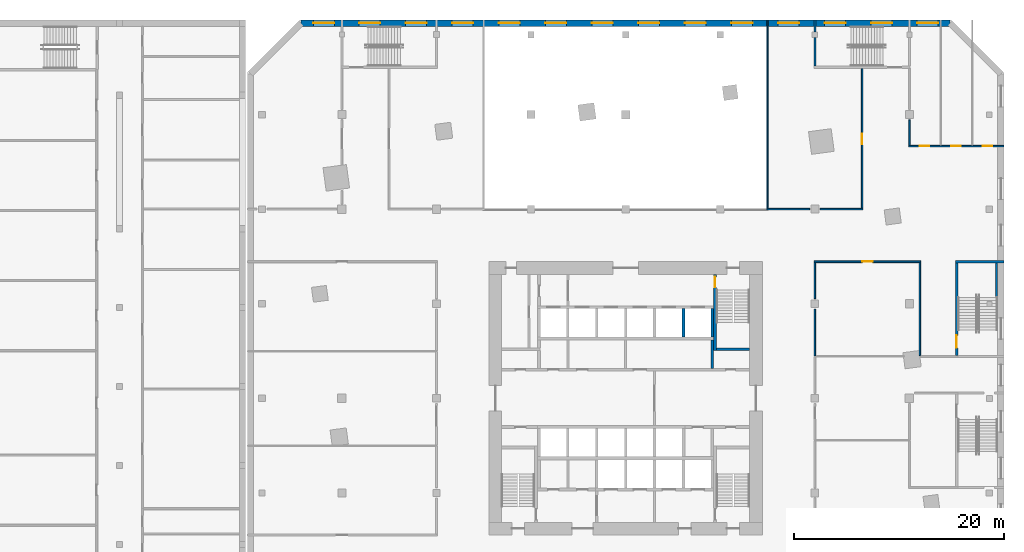
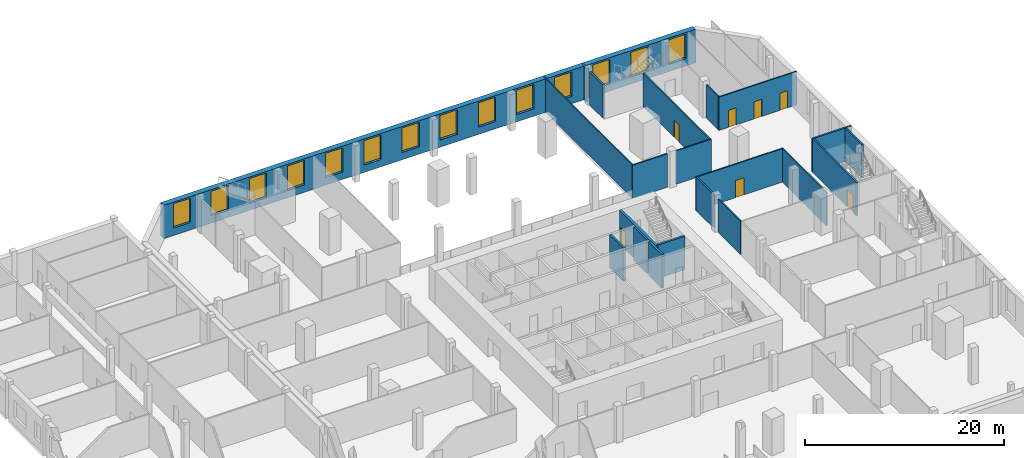
# One storey, part 17 of 27: 21 walls, 14 windows, 7 doors, 21 openings.
"""IFC4 building model written with IfcOpenShell, lengths in metres."""

from ifc_helpers import new_model, si_unit, direction, frame, frame_2d, origin, place, context, subcontext, project, spatial, rectangle, extrude, material, layer, layer_set, type_object, element, fill, save


model = new_model("IFC4")

# Units and contexts
model_context = context("Model", 3, precision=1e-05, world=origin(), true_north=direction((0.0, 1.0)))
body_context = subcontext(model_context, "Body", "Model", "MODEL_VIEW")
ifc_project = project(units=[si_unit("LENGTHUNIT", "METRE"), si_unit("AREAUNIT", "SQUARE_METRE"), si_unit("VOLUMEUNIT", "CUBIC_METRE"), si_unit("PLANEANGLEUNIT", "RADIAN"), si_unit("MASSUNIT", "GRAM", prefix="KILO")], contexts=[model_context])

# Site, building, storey
site_placement = place(None, origin())
site = spatial("IfcSite", under=ifc_project, at=site_placement, CompositionType="ELEMENT")
building_placement = place(site_placement, origin())
building = spatial("IfcBuilding", under=site, at=building_placement, Name="Dilmun Exchange Tower", CompositionType="ELEMENT")
storey_placement = place(building_placement, frame((0.0, 0.0, 4.5)))
storey = spatial("IfcBuildingStorey", under=building, at=storey_placement, Name="L01", CompositionType="ELEMENT", Elevation=4.5)

# Wall
ifc_material_1 = material(Name="Concrete C40/50", Category="concrete")
ifc_layer_1 = layer(ifc_material_1, 0.25)
ifc_layer_set_1 = layer_set([ifc_layer_1], Name="Concrete C40/50")
wall_type_1 = type_object("IfcWallType", Name="Core partition wall 250", PredefinedType="PARTITIONING", material=ifc_layer_set_1)
wall_1_placement = place(storey_placement, frame((8.25, 2.85498046875, 0.0), z_axis=(0.0, 0.0, 1.0), x_axis=(0.0, 1.0, 0.0)))
element("IfcWall", 1, at=wall_1_placement, inside=storey, type_object=wall_type_1, Name="L01 core partition wall 14", PredefinedType="PARTITIONING", context=body_context, shape_type="SweptSolid", body=[
    extrude(rectangle(XDim=2.68994140625, YDim=0.25, at=frame_2d((1.344970703125, 0.0))), origin(), (0.0, 0.0, 1.0), 4.10009765625),
])

# Wall, opening, door
ifc_material_2 = material(Name="Fire partition EI 60 150 gypsum")
ifc_layer_2 = layer(ifc_material_2, 0.14990234375)
ifc_layer_set_2 = layer_set([ifc_layer_2], Name="Fire partition EI 60 150 gypsum")
wall_type_2 = type_object("IfcWallType", Name="Fire partition EI 60 150 gypsum", PredefinedType="PARTITIONING", material=ifc_layer_set_2)
wall_2_placement = place(storey_placement, frame((17.925048828125, 13.0, 0.0), z_axis=(0.0, 0.0, 1.0), x_axis=(1.0, 0.0, 0.0)))
wall_2 = element("IfcWall", 2, at=wall_2_placement, inside=storey, type_object=wall_type_2, Name="L01 partition", PredefinedType="PARTITIONING", context=body_context, shape_type="SweptSolid", body=[
    extrude(rectangle(XDim=10.14990234375, YDim=0.14990234375, at=frame_2d((5.074951171875, 0.0))), origin(), (0.0, 0.0, 1.0), 4.10009765625),
])
opening_1_placement = place(wall_2_placement, frame((4.574951171875, 0.0, 0.0)))
opening_1 = element("IfcOpeningElement", 3, at=opening_1_placement, cuts=wall_2, Name="Opening L01-D021", PredefinedType="OPENING", context=body_context, shape_type="SweptSolid", body=[
    extrude(rectangle(XDim=1.0, YDim=2.10009765625, at=frame_2d((0.5, 1.050048828125))), frame((0.0, 0.0849609375, 0.0), z_axis=(0.0, -1.0, 0.0), x_axis=(1.0, 0.0, 0.0)), (0.0, 0.0, 1.0), 0.169921875),
])
ifc_material_3 = material(Name="Fire door FD60 1000 x 2100")
door_type_1 = type_object("IfcDoorType", Name="Fire door FD60 1000 x 2100", OperationType="SINGLE_SWING_LEFT", PredefinedType="DOOR", material=ifc_material_3)
door_1_placement = place(opening_1_placement, origin())
door_1 = element("IfcDoor", 4, at=door_1_placement, inside=storey, type_object=door_type_1, Name="L01 door L01-D021", OperationType="SINGLE_SWING_LEFT", OverallHeight=2.10009765625, OverallWidth=1.0, PredefinedType="DOOR", context=body_context, shape_type="SweptSolid", body=[
    extrude(rectangle(XDim=1.0, YDim=2.10009765625, at=frame_2d((0.5, 1.050048828125))), frame((0.0, 0.02490234375, 0.0), z_axis=(0.0, -1.0, 0.0), x_axis=(1.0, 0.0, 0.0)), (0.0, 0.0, 1.0), 0.050048828125),
])
fill(opening_1, door_1)

# Walls
wall_3_placement = place(storey_placement, frame((13.43994140625, 18.0, 0.0), z_axis=(0.0, 0.0, 1.0), x_axis=(1.0, 0.0, 0.0)))
element("IfcWall", 5, at=wall_3_placement, inside=storey, type_object=wall_type_2, Name="L01 partition", PredefinedType="PARTITIONING", context=body_context, shape_type="SweptSolid", body=[
    extrude(rectangle(XDim=4.06005859375, YDim=0.14990234375, at=frame_2d((2.030029296875, 0.0))), origin(), (0.0, 0.0, 1.0), 4.10009765625),
])
wall_4_placement = place(storey_placement, frame((18.5, 18.0, 0.0), z_axis=(0.0, 0.0, 1.0), x_axis=(1.0, 0.0, 0.0)))
element("IfcWall", 6, at=wall_4_placement, inside=storey, type_object=wall_type_2, Name="L01 partition", PredefinedType="PARTITIONING", context=body_context, shape_type="SweptSolid", body=[
    extrude(rectangle(XDim=4.074951171875, YDim=0.14990234375, at=frame_2d((2.03759765625, 0.0))), origin(), (0.0, 0.0, 1.0), 4.10009765625),
])

# Wall, openings, doors
wall_5_placement = place(storey_placement, frame((26.925048828125, 24.0, 0.0), z_axis=(0.0, 0.0, 1.0), x_axis=(1.0, 0.0, 0.0)))
wall_5 = element("IfcWall", 7, at=wall_5_placement, inside=storey, type_object=wall_type_2, Name="L01 partition", PredefinedType="PARTITIONING", context=body_context, shape_type="SweptSolid", body=[
    extrude(rectangle(XDim=9.074951171875, YDim=0.14990234375, at=frame_2d((4.53759765625, 0.0))), origin(), (0.0, 0.0, 1.0), 4.10009765625),
])
opening_2_placement = place(wall_5_placement, frame((1.074951171875, 0.0, 0.0)))
opening_2 = element("IfcOpeningElement", 8, at=opening_2_placement, cuts=wall_5, Name="Opening L01-D005", PredefinedType="OPENING", context=body_context, shape_type="SweptSolid", body=[
    extrude(rectangle(XDim=0.89990234375, YDim=2.10009765625, at=frame_2d((0.449951171875, 1.050048828125))), frame((0.0, 0.0849609375, 0.0), z_axis=(0.0, -1.0, 0.0), x_axis=(1.0, 0.0, 0.0)), (0.0, 0.0, 1.0), 0.169921875),
])
opening_3_placement = place(wall_5_placement, frame((4.074951171875, 0.0, 0.0)))
opening_3 = element("IfcOpeningElement", 9, at=opening_3_placement, cuts=wall_5, Name="Opening L01-D006", PredefinedType="OPENING", context=body_context, shape_type="SweptSolid", body=[
    extrude(rectangle(XDim=0.89990234375, YDim=2.10009765625, at=frame_2d((0.449951171875, 1.050048828125))), frame((0.0, 0.0849609375, 0.0), z_axis=(0.0, -1.0, 0.0), x_axis=(1.0, 0.0, 0.0)), (0.0, 0.0, 1.0), 0.169921875),
])
opening_4_placement = place(wall_5_placement, frame((7.074951171875, 0.0, 0.0)))
opening_4 = element("IfcOpeningElement", 10, at=opening_4_placement, cuts=wall_5, Name="Opening L01-D007", PredefinedType="OPENING", context=body_context, shape_type="SweptSolid", body=[
    extrude(rectangle(XDim=0.89990234375, YDim=2.10009765625, at=frame_2d((0.449951171875, 1.050048828125))), frame((0.0, 0.0849609375, 0.0), z_axis=(0.0, -1.0, 0.0), x_axis=(1.0, 0.0, 0.0)), (0.0, 0.0, 1.0), 0.169921875),
])
ifc_material_4 = material(Name="Door 900 x 2100")
door_type_2 = type_object("IfcDoorType", Name="Door 900 x 2100", OperationType="SINGLE_SWING_LEFT", PredefinedType="DOOR", material=ifc_material_4)
door_2_placement = place(opening_2_placement, origin())
door_2 = element("IfcDoor", 11, at=door_2_placement, inside=storey, type_object=door_type_2, Name="L01 door L01-D005", OperationType="SINGLE_SWING_LEFT", OverallHeight=2.10009765625, OverallWidth=0.89990234375, PredefinedType="DOOR", context=body_context, shape_type="SweptSolid", body=[
    extrude(rectangle(XDim=0.89990234375, YDim=2.10009765625, at=frame_2d((0.449951171875, 1.050048828125))), frame((0.0, 0.02490234375, 0.0), z_axis=(0.0, -1.0, 0.0), x_axis=(1.0, 0.0, 0.0)), (0.0, 0.0, 1.0), 0.050048828125),
])
fill(opening_2, door_2)
door_3_placement = place(opening_3_placement, origin())
door_3 = element("IfcDoor", 12, at=door_3_placement, inside=storey, type_object=door_type_2, Name="L01 door L01-D006", OperationType="SINGLE_SWING_RIGHT", OverallHeight=2.10009765625, OverallWidth=0.89990234375, PredefinedType="DOOR", context=body_context, shape_type="SweptSolid", body=[
    extrude(rectangle(XDim=0.89990234375, YDim=2.10009765625, at=frame_2d((0.449951171875, 1.050048828125))), frame((0.0, 0.02490234375, 0.0), z_axis=(0.0, -1.0, 0.0), x_axis=(1.0, 0.0, 0.0)), (0.0, 0.0, 1.0), 0.050048828125),
])
fill(opening_3, door_3)
door_4_placement = place(opening_4_placement, origin())
door_4 = element("IfcDoor", 13, at=door_4_placement, inside=storey, type_object=door_type_2, Name="L01 door L01-D007", OperationType="SINGLE_SWING_LEFT", OverallHeight=2.10009765625, OverallWidth=0.89990234375, PredefinedType="DOOR", context=body_context, shape_type="SweptSolid", body=[
    extrude(rectangle(XDim=0.89990234375, YDim=2.10009765625, at=frame_2d((0.449951171875, 1.050048828125))), frame((0.0, 0.02490234375, 0.0), z_axis=(0.0, -1.0, 0.0), x_axis=(1.0, 0.0, 0.0)), (0.0, 0.0, 1.0), 0.050048828125),
])
fill(opening_4, door_4)

# Walls
wall_6_placement = place(storey_placement, frame((18.0, 4.050048828125, 0.0), z_axis=(0.0, 0.0, 1.0), x_axis=(0.0, 1.0, 0.0)))
element("IfcWall", 14, at=wall_6_placement, inside=storey, type_object=wall_type_2, Name="L01 partition", PredefinedType="PARTITIONING", context=body_context, shape_type="SweptSolid", body=[
    extrude(rectangle(XDim=4.449951171875, YDim=0.14990234375, at=frame_2d((2.22509765625, 0.0))), origin(), (0.0, 0.0, 1.0), 4.10009765625),
])
wall_7_placement = place(storey_placement, frame((18.0, 9.5, 0.0), z_axis=(0.0, 0.0, 1.0), x_axis=(0.0, 1.0, 0.0)))
element("IfcWall", 15, at=wall_7_placement, inside=storey, type_object=wall_type_2, Name="L01 partition", PredefinedType="PARTITIONING", context=body_context, shape_type="SweptSolid", body=[
    extrude(rectangle(XDim=3.425048828125, YDim=0.14990234375, at=frame_2d((1.71240234375, 0.0))), origin(), (0.0, 0.0, 1.0), 4.10009765625),
])

# Wall, opening, door
wall_8_placement = place(storey_placement, frame((22.5, 18.074951171875, 0.0), z_axis=(0.0, 0.0, 1.0), x_axis=(0.0, 1.0, 0.0)))
wall_8 = element("IfcWall", 16, at=wall_8_placement, inside=storey, type_object=wall_type_2, Name="L01 partition", PredefinedType="PARTITIONING", context=body_context, shape_type="SweptSolid", body=[
    extrude(rectangle(XDim=13.324951171875, YDim=0.14990234375, at=frame_2d((6.66259765625, 0.0))), origin(), (0.0, 0.0, 1.0), 4.10009765625),
])
opening_5_placement = place(wall_8_placement, frame((6.125, 0.0, 0.0)))
opening_5 = element("IfcOpeningElement", 17, at=opening_5_placement, cuts=wall_8, Name="Opening L01-D010", PredefinedType="OPENING", context=body_context, shape_type="SweptSolid", body=[
    extrude(rectangle(XDim=1.0, YDim=2.10009765625, at=frame_2d((0.5, 1.050048828125))), frame((0.0, 0.0849609375, 0.0), z_axis=(0.0, -1.0, 0.0), x_axis=(1.0, 0.0, 0.0)), (0.0, 0.0, 1.0), 0.169921875),
])
door_5_placement = place(opening_5_placement, origin())
door_5 = element("IfcDoor", 18, at=door_5_placement, inside=storey, type_object=door_type_1, Name="L01 door L01-D010", OperationType="SINGLE_SWING_RIGHT", OverallHeight=2.10009765625, OverallWidth=1.0, PredefinedType="DOOR", context=body_context, shape_type="SweptSolid", body=[
    extrude(rectangle(XDim=1.0, YDim=2.10009765625, at=frame_2d((0.5, 1.050048828125))), frame((0.0, 0.02490234375, 0.0), z_axis=(0.0, -1.0, 0.0), x_axis=(1.0, 0.0, 0.0)), (0.0, 0.0, 1.0), 0.050048828125),
])
fill(opening_5, door_5)

# Walls
wall_9_placement = place(storey_placement, frame((27.0, 24.074951171875, 0.0), z_axis=(0.0, 0.0, 1.0), x_axis=(0.0, 1.0, 0.0)))
element("IfcWall", 19, at=wall_9_placement, inside=storey, type_object=wall_type_2, Name="L01 partition", PredefinedType="PARTITIONING", context=body_context, shape_type="SweptSolid", body=[
    extrude(rectangle(XDim=2.425048828125, YDim=0.14990234375, at=frame_2d((1.21240234375, 0.0))), origin(), (0.0, 0.0, 1.0), 4.10009765625),
])
wall_10_placement = place(storey_placement, frame((28.0, 4.074951171875, 0.0), z_axis=(0.0, 0.0, 1.0), x_axis=(0.0, 1.0, 0.0)))
element("IfcWall", 20, at=wall_10_placement, inside=storey, type_object=wall_type_2, Name="L01 partition", PredefinedType="PARTITIONING", context=body_context, shape_type="SweptSolid", body=[
    extrude(rectangle(XDim=8.85009765625, YDim=0.14990234375, at=frame_2d((4.425048828125, 0.0))), origin(), (0.0, 0.0, 1.0), 4.10009765625),
])
ifc_material_5 = material(Name="Fire wall EI 120 200 blockwork", Category="masonry")
ifc_layer_3 = layer(ifc_material_5, 0.199951171875)
ifc_layer_set_3 = layer_set([ifc_layer_3], Name="Fire wall EI 120 200 blockwork")
wall_type_3 = type_object("IfcWallType", Name="Fire wall EI 120 200 blockwork", PredefinedType="PARTITIONING", material=ifc_layer_set_3)
wall_11_placement = place(storey_placement, frame((31.39990234375, 13.0, 0.0), z_axis=(0.0, 0.0, 1.0), x_axis=(1.0, 0.0, 0.0)))
element("IfcWall", 21, at=wall_11_placement, inside=storey, type_object=wall_type_3, Name="L01 stair wall", PredefinedType="PARTITIONING", context=body_context, shape_type="SweptSolid", body=[
    extrude(rectangle(XDim=4.60009765625, YDim=0.199951171875, at=frame_2d((2.300048828125, 0.0))), origin(), (0.0, 0.0, 1.0), 4.10009765625),
])
wall_12_placement = place(storey_placement, frame((18.0, 31.60009765625, 0.0), z_axis=(0.0, 0.0, 1.0), x_axis=(0.0, 1.0, 0.0)))
element("IfcWall", 22, at=wall_12_placement, inside=storey, type_object=wall_type_3, Name="L01 stair wall", PredefinedType="PARTITIONING", context=body_context, shape_type="SweptSolid", body=[
    extrude(rectangle(XDim=2.724853515625, YDim=0.199951171875, at=frame_2d((1.3623046875, 0.0))), origin(), (0.0, 0.0, 1.0), 4.10009765625),
])
wall_13_placement = place(storey_placement, frame((18.0, 34.875, 0.0), z_axis=(0.0, 0.0, 1.0), x_axis=(0.0, 1.0, 0.0)))
element("IfcWall", 23, at=wall_13_placement, inside=storey, type_object=wall_type_3, Name="L01 stair wall", PredefinedType="PARTITIONING", context=body_context, shape_type="SweptSolid", body=[
    extrude(rectangle(XDim=1.125, YDim=0.199951171875, at=frame_2d((0.5625, 0.0))), origin(), (0.0, 0.0, 1.0), 4.10009765625),
])

# Wall, opening, door
wall_14_placement = place(storey_placement, frame((31.5, 4.10009765625, 0.0), z_axis=(0.0, 0.0, 1.0), x_axis=(0.0, 1.0, 0.0)))
wall_14 = element("IfcWall", 24, at=wall_14_placement, inside=storey, type_object=wall_type_3, Name="L01 stair wall", PredefinedType="PARTITIONING", context=body_context, shape_type="SweptSolid", body=[
    extrude(rectangle(XDim=8.7998046875, YDim=0.199951171875, at=frame_2d((4.39990234375, 0.0))), origin(), (0.0, 0.0, 1.0), 4.10009765625),
])
opening_6_placement = place(wall_14_placement, frame((0.699951171875, 0.0, 0.0)))
opening_6 = element("IfcOpeningElement", 25, at=opening_6_placement, cuts=wall_14, Name="Opening L01-D004", PredefinedType="OPENING", context=body_context, shape_type="SweptSolid", body=[
    extrude(rectangle(XDim=1.199951171875, YDim=2.10009765625, at=frame_2d((0.60009765625, 1.050048828125))), frame((0.0, 0.10986328125, 0.0), z_axis=(0.0, -1.0, 0.0), x_axis=(1.0, 0.0, 0.0)), (0.0, 0.0, 1.0), 0.219970703125),
])
ifc_material_6 = material(Name="Stair door FD90 1200 x 2100")
door_type_3 = type_object("IfcDoorType", Name="Stair door FD90 1200 x 2100", OperationType="SINGLE_SWING_LEFT", PredefinedType="DOOR", material=ifc_material_6)
door_6_placement = place(opening_6_placement, frame((1.199951171875, 0.0, 0.0), z_axis=(0.0, 0.0, 1.0), x_axis=(-1.0, 0.0, 0.0)))
door_6 = element("IfcDoor", 26, at=door_6_placement, inside=storey, type_object=door_type_3, Name="L01 door L01-D004", OperationType="SINGLE_SWING_RIGHT", OverallHeight=2.10009765625, OverallWidth=1.199951171875, PredefinedType="DOOR", context=body_context, shape_type="SweptSolid", body=[
    extrude(rectangle(XDim=1.199951171875, YDim=2.10009765625, at=frame_2d((0.60009765625, 1.050048828125))), frame((0.0, 0.02490234375, 0.0), z_axis=(0.0, -1.0, 0.0), x_axis=(1.0, 0.0, 0.0)), (0.0, 0.0, 1.0), 0.050048828125),
])
fill(opening_6, door_6)

# Walls
wall_15_placement = place(storey_placement, frame((35.298095703125, 9.58056640625, 0.0), z_axis=(0.0, 0.0, 1.0), x_axis=(0.0, 1.0, 0.0)))
element("IfcWall", 27, at=wall_15_placement, inside=storey, type_object=wall_type_3, Name="L01 stair landing wall", PredefinedType="PARTITIONING", context=body_context, shape_type="SweptSolid", body=[
    extrude(rectangle(XDim=3.309326171875, YDim=0.199951171875, at=frame_2d((1.65478515625, 0.0))), origin(), (0.0, 0.0, 1.0), 4.10009765625),
])
ifc_material_7 = material(Name="Glazed partition EI 60 120")
ifc_layer_4 = layer(ifc_material_7, 0.1201171875)
ifc_layer_set_4 = layer_set([ifc_layer_4], Name="Glazed partition EI 60 120")
wall_type_4 = type_object("IfcWallType", Name="Glazed partition EI 60 120", PredefinedType="PARTITIONING", material=ifc_layer_set_4)
wall_16_placement = place(storey_placement, frame((13.5, 18.074951171875, 0.0), z_axis=(0.0, 0.0, 1.0), x_axis=(0.0, 1.0, 0.0)))
element("IfcWall", 28, at=wall_16_placement, inside=storey, type_object=wall_type_4, Name="L01 partition", PredefinedType="PARTITIONING", context=body_context, shape_type="SweptSolid", body=[
    extrude(rectangle(XDim=17.925048828125, YDim=0.1201171875, at=frame_2d((8.96240234375, 0.0))), origin(), (0.0, 0.0, 1.0), 4.10009765625),
])
ifc_layer_5 = layer(ifc_material_1, 0.25)
ifc_layer_set_5 = layer_set([ifc_layer_5], Name="Concrete C40/50")
wall_type_5 = type_object("IfcWallType", Name="Lift shaft wall 250", PredefinedType="SOLIDWALL", material=ifc_layer_set_5)
for number, where, z_axis, x_axis, name in (
    (29, (5.5, 5.85009765625, 0.0), (0.0, 0.0, 1.0), (0.0, 1.0, 0.0), "L01 lift shaft divider N25"),
    (30, (8.25, 5.85009765625, 0.0), (0.0, 0.0, 1.0), (0.0, 1.0, 0.0), "L01 lift shaft divider N26"),
):
    element("IfcWall", number, at=place(storey_placement, frame(where, z_axis=z_axis, x_axis=x_axis)), inside=storey, type_object=wall_type_5, Name=name, PredefinedType="SOLIDWALL", context=body_context, shape_type="SweptSolid", body=[
        extrude(rectangle(XDim=2.699951171875, YDim=0.25, at=frame_2d((1.35009765625, 0.0))), origin(), (0.0, 0.0, 1.0), 4.10009765625),
    ])

# Wall, openings, windows
ifc_material_8 = material(Name="Precast concrete C50/60", Category="concrete")
ifc_layer_6 = layer(ifc_material_8, 0.60009765625)
ifc_layer_set_6 = layer_set([ifc_layer_6], Name="Precast concrete C50/60")
wall_type_6 = type_object("IfcWallType", Name="Precast stone-clad wall 600", PredefinedType="STANDARD", material=ifc_layer_set_6)
wall_17_placement = place(storey_placement, frame((30.875732421875, 35.699951171875, 0.0), z_axis=(0.0, 0.0, 1.0), x_axis=(-1.0, 0.0, 0.0)))
wall_17 = element("IfcWall", 31, at=wall_17_placement, inside=storey, type_object=wall_type_6, Name="Facade wall L01-04-0", PredefinedType="STANDARD", context=body_context, shape_type="SweptSolid", body=[
    extrude(rectangle(XDim=61.75146484375, YDim=0.60009765625, at=frame_2d((30.875732421875, 0.0))), origin(), (0.0, 0.0, 1.0), 4.10009765625),
])
opening_7_placement = place(wall_17_placement, frame((1.152099609375, 0.0, 0.89990234375)))
opening_7 = element("IfcOpeningElement", 32, at=opening_7_placement, cuts=wall_17, Name="Opening W200-300", PredefinedType="OPENING", context=body_context, shape_type="SweptSolid", body=[
    extrude(rectangle(XDim=2.0, YDim=3.0, at=frame_2d((1.0, 1.5))), frame((0.0, 0.31005859375, 0.0), z_axis=(0.0, -1.0, 0.0), x_axis=(1.0, 0.0, 0.0)), (0.0, 0.0, 1.0), 0.6201171875),
])
opening_8_placement = place(wall_17_placement, frame((5.5185546875, 0.0, 0.89990234375)))
opening_8 = element("IfcOpeningElement", 33, at=opening_8_placement, cuts=wall_17, Name="Opening W200-300", PredefinedType="OPENING", context=body_context, shape_type="SweptSolid", body=[
    extrude(rectangle(XDim=2.0, YDim=3.0, at=frame_2d((1.0, 1.5))), frame((0.0, 0.31005859375, 0.0), z_axis=(0.0, -1.0, 0.0), x_axis=(1.0, 0.0, 0.0)), (0.0, 0.0, 1.0), 0.6201171875),
])
opening_9_placement = place(wall_17_placement, frame((9.947265625, 0.0, 0.89990234375)))
opening_9 = element("IfcOpeningElement", 34, at=opening_9_placement, cuts=wall_17, Name="Opening W200-300", PredefinedType="OPENING", context=body_context, shape_type="SweptSolid", body=[
    extrude(rectangle(XDim=2.0, YDim=3.0, at=frame_2d((1.0, 1.5))), frame((0.0, 0.31005859375, 0.0), z_axis=(0.0, -1.0, 0.0), x_axis=(1.0, 0.0, 0.0)), (0.0, 0.0, 1.0), 0.6201171875),
])
opening_10_placement = place(wall_17_placement, frame((14.375732421875, 0.0, 0.89990234375)))
opening_10 = element("IfcOpeningElement", 35, at=opening_10_placement, cuts=wall_17, Name="Opening W200-300", PredefinedType="OPENING", context=body_context, shape_type="SweptSolid", body=[
    extrude(rectangle(XDim=2.0, YDim=3.0, at=frame_2d((1.0, 1.5))), frame((0.0, 0.31005859375, 0.0), z_axis=(0.0, -1.0, 0.0), x_axis=(1.0, 0.0, 0.0)), (0.0, 0.0, 1.0), 0.6201171875),
])
opening_11_placement = place(wall_17_placement, frame((18.80419921875, 0.0, 0.89990234375)))
opening_11 = element("IfcOpeningElement", 36, at=opening_11_placement, cuts=wall_17, Name="Opening W200-300", PredefinedType="OPENING", context=body_context, shape_type="SweptSolid", body=[
    extrude(rectangle(XDim=2.0, YDim=3.0, at=frame_2d((1.0, 1.5))), frame((0.0, 0.31005859375, 0.0), z_axis=(0.0, -1.0, 0.0), x_axis=(1.0, 0.0, 0.0)), (0.0, 0.0, 1.0), 0.6201171875),
])
opening_12_placement = place(wall_17_placement, frame((23.23291015625, 0.0, 0.89990234375)))
opening_12 = element("IfcOpeningElement", 37, at=opening_12_placement, cuts=wall_17, Name="Opening W200-300", PredefinedType="OPENING", context=body_context, shape_type="SweptSolid", body=[
    extrude(rectangle(XDim=2.0, YDim=3.0, at=frame_2d((1.0, 1.5))), frame((0.0, 0.31005859375, 0.0), z_axis=(0.0, -1.0, 0.0), x_axis=(1.0, 0.0, 0.0)), (0.0, 0.0, 1.0), 0.6201171875),
])
opening_13_placement = place(wall_17_placement, frame((27.66162109375, 0.0, 0.89990234375)))
opening_13 = element("IfcOpeningElement", 38, at=opening_13_placement, cuts=wall_17, Name="Opening W200-300", PredefinedType="OPENING", context=body_context, shape_type="SweptSolid", body=[
    extrude(rectangle(XDim=2.0, YDim=3.0, at=frame_2d((1.0, 1.5))), frame((0.0, 0.31005859375, 0.0), z_axis=(0.0, -1.0, 0.0), x_axis=(1.0, 0.0, 0.0)), (0.0, 0.0, 1.0), 0.6201171875),
])
opening_14_placement = place(wall_17_placement, frame((32.090087890625, 0.0, 0.89990234375)))
opening_14 = element("IfcOpeningElement", 39, at=opening_14_placement, cuts=wall_17, Name="Opening W200-300", PredefinedType="OPENING", context=body_context, shape_type="SweptSolid", body=[
    extrude(rectangle(XDim=2.0, YDim=3.0, at=frame_2d((1.0, 1.5))), frame((0.0, 0.31005859375, 0.0), z_axis=(0.0, -1.0, 0.0), x_axis=(1.0, 0.0, 0.0)), (0.0, 0.0, 1.0), 0.6201171875),
])
opening_15_placement = place(wall_17_placement, frame((36.5185546875, 0.0, 0.89990234375)))
opening_15 = element("IfcOpeningElement", 40, at=opening_15_placement, cuts=wall_17, Name="Opening W200-300", PredefinedType="OPENING", context=body_context, shape_type="SweptSolid", body=[
    extrude(rectangle(XDim=2.0, YDim=3.0, at=frame_2d((1.0, 1.5))), frame((0.0, 0.31005859375, 0.0), z_axis=(0.0, -1.0, 0.0), x_axis=(1.0, 0.0, 0.0)), (0.0, 0.0, 1.0), 0.6201171875),
])
opening_16_placement = place(wall_17_placement, frame((40.947265625, 0.0, 0.89990234375)))
opening_16 = element("IfcOpeningElement", 41, at=opening_16_placement, cuts=wall_17, Name="Opening W200-300", PredefinedType="OPENING", context=body_context, shape_type="SweptSolid", body=[
    extrude(rectangle(XDim=2.0, YDim=3.0, at=frame_2d((1.0, 1.5))), frame((0.0, 0.31005859375, 0.0), z_axis=(0.0, -1.0, 0.0), x_axis=(1.0, 0.0, 0.0)), (0.0, 0.0, 1.0), 0.6201171875),
])
opening_17_placement = place(wall_17_placement, frame((45.375732421875, 0.0, 0.89990234375)))
opening_17 = element("IfcOpeningElement", 42, at=opening_17_placement, cuts=wall_17, Name="Opening W200-300", PredefinedType="OPENING", context=body_context, shape_type="SweptSolid", body=[
    extrude(rectangle(XDim=2.0, YDim=3.0, at=frame_2d((1.0, 1.5))), frame((0.0, 0.31005859375, 0.0), z_axis=(0.0, -1.0, 0.0), x_axis=(1.0, 0.0, 0.0)), (0.0, 0.0, 1.0), 0.6201171875),
])
opening_18_placement = place(wall_17_placement, frame((49.80419921875, 0.0, 0.89990234375)))
opening_18 = element("IfcOpeningElement", 43, at=opening_18_placement, cuts=wall_17, Name="Opening W200-300", PredefinedType="OPENING", context=body_context, shape_type="SweptSolid", body=[
    extrude(rectangle(XDim=2.0, YDim=3.0, at=frame_2d((1.0, 1.5))), frame((0.0, 0.31005859375, 0.0), z_axis=(0.0, -1.0, 0.0), x_axis=(1.0, 0.0, 0.0)), (0.0, 0.0, 1.0), 0.6201171875),
])
opening_19_placement = place(wall_17_placement, frame((54.23291015625, 0.0, 0.89990234375)))
opening_19 = element("IfcOpeningElement", 44, at=opening_19_placement, cuts=wall_17, Name="Opening W200-300", PredefinedType="OPENING", context=body_context, shape_type="SweptSolid", body=[
    extrude(rectangle(XDim=2.0, YDim=3.0, at=frame_2d((1.0, 1.5))), frame((0.0, 0.31005859375, 0.0), z_axis=(0.0, -1.0, 0.0), x_axis=(1.0, 0.0, 0.0)), (0.0, 0.0, 1.0), 0.6201171875),
])
opening_20_placement = place(wall_17_placement, frame((58.599365234375, 0.0, 0.89990234375)))
opening_20 = element("IfcOpeningElement", 45, at=opening_20_placement, cuts=wall_17, Name="Opening W200-300", PredefinedType="OPENING", context=body_context, shape_type="SweptSolid", body=[
    extrude(rectangle(XDim=2.0, YDim=3.0, at=frame_2d((1.0, 1.5))), frame((0.0, 0.31005859375, 0.0), z_axis=(0.0, -1.0, 0.0), x_axis=(1.0, 0.0, 0.0)), (0.0, 0.0, 1.0), 0.6201171875),
])
ifc_material_9 = material(Name="Clear low-emissivity glass in aluminium frame", Category="aluminium")
window_type = type_object("IfcWindowType", Name="Punched window 2000 x 3000", PartitioningType="DOUBLE_PANEL_VERTICAL", PredefinedType="WINDOW", material=ifc_material_9)
window_1_placement = place(opening_7_placement, origin())
window_1 = element("IfcWindow", 46, at=window_1_placement, inside=storey, type_object=window_type, Name="Window 5.1", OverallHeight=3.0, OverallWidth=2.0, PartitioningType="SINGLE_PANEL", PredefinedType="WINDOW", context=body_context, shape_type="SweptSolid", body=[
    extrude(rectangle(XDim=2.0, YDim=3.0, at=frame_2d((1.0, 1.5))), frame((0.0, 0.030029296875, 0.0), z_axis=(0.0, -1.0, 0.0), x_axis=(1.0, 0.0, 0.0)), (0.0, 0.0, 1.0), 0.06005859375),
])
fill(opening_7, window_1)
window_2_placement = place(opening_8_placement, origin())
window_2 = element("IfcWindow", 47, at=window_2_placement, inside=storey, type_object=window_type, Name="Window 5.2", OverallHeight=3.0, OverallWidth=2.0, PartitioningType="SINGLE_PANEL", PredefinedType="WINDOW", context=body_context, shape_type="SweptSolid", body=[
    extrude(rectangle(XDim=2.0, YDim=3.0, at=frame_2d((1.0, 1.5))), frame((0.0, 0.030029296875, 0.0), z_axis=(0.0, -1.0, 0.0), x_axis=(1.0, 0.0, 0.0)), (0.0, 0.0, 1.0), 0.06005859375),
])
fill(opening_8, window_2)
window_3_placement = place(opening_9_placement, origin())
window_3 = element("IfcWindow", 48, at=window_3_placement, inside=storey, type_object=window_type, Name="Window 5.3", OverallHeight=3.0, OverallWidth=2.0, PartitioningType="SINGLE_PANEL", PredefinedType="WINDOW", context=body_context, shape_type="SweptSolid", body=[
    extrude(rectangle(XDim=2.0, YDim=3.0, at=frame_2d((1.0, 1.5))), frame((0.0, 0.030029296875, 0.0), z_axis=(0.0, -1.0, 0.0), x_axis=(1.0, 0.0, 0.0)), (0.0, 0.0, 1.0), 0.06005859375),
])
fill(opening_9, window_3)
window_4_placement = place(opening_10_placement, origin())
window_4 = element("IfcWindow", 49, at=window_4_placement, inside=storey, type_object=window_type, Name="Window 5.4", OverallHeight=3.0, OverallWidth=2.0, PartitioningType="SINGLE_PANEL", PredefinedType="WINDOW", context=body_context, shape_type="SweptSolid", body=[
    extrude(rectangle(XDim=2.0, YDim=3.0, at=frame_2d((1.0, 1.5))), frame((0.0, 0.030029296875, 0.0), z_axis=(0.0, -1.0, 0.0), x_axis=(1.0, 0.0, 0.0)), (0.0, 0.0, 1.0), 0.06005859375),
])
fill(opening_10, window_4)
window_5_placement = place(opening_11_placement, origin())
window_5 = element("IfcWindow", 50, at=window_5_placement, inside=storey, type_object=window_type, Name="Window 5.5", OverallHeight=3.0, OverallWidth=2.0, PartitioningType="SINGLE_PANEL", PredefinedType="WINDOW", context=body_context, shape_type="SweptSolid", body=[
    extrude(rectangle(XDim=2.0, YDim=3.0, at=frame_2d((1.0, 1.5))), frame((0.0, 0.030029296875, 0.0), z_axis=(0.0, -1.0, 0.0), x_axis=(1.0, 0.0, 0.0)), (0.0, 0.0, 1.0), 0.06005859375),
])
fill(opening_11, window_5)
window_6_placement = place(opening_12_placement, origin())
window_6 = element("IfcWindow", 51, at=window_6_placement, inside=storey, type_object=window_type, Name="Window 5.6", OverallHeight=3.0, OverallWidth=2.0, PartitioningType="SINGLE_PANEL", PredefinedType="WINDOW", context=body_context, shape_type="SweptSolid", body=[
    extrude(rectangle(XDim=2.0, YDim=3.0, at=frame_2d((1.0, 1.5))), frame((0.0, 0.030029296875, 0.0), z_axis=(0.0, -1.0, 0.0), x_axis=(1.0, 0.0, 0.0)), (0.0, 0.0, 1.0), 0.06005859375),
])
fill(opening_12, window_6)
window_7_placement = place(opening_13_placement, origin())
window_7 = element("IfcWindow", 52, at=window_7_placement, inside=storey, type_object=window_type, Name="Window 5.7", OverallHeight=3.0, OverallWidth=2.0, PartitioningType="SINGLE_PANEL", PredefinedType="WINDOW", context=body_context, shape_type="SweptSolid", body=[
    extrude(rectangle(XDim=2.0, YDim=3.0, at=frame_2d((1.0, 1.5))), frame((0.0, 0.030029296875, 0.0), z_axis=(0.0, -1.0, 0.0), x_axis=(1.0, 0.0, 0.0)), (0.0, 0.0, 1.0), 0.06005859375),
])
fill(opening_13, window_7)
window_8_placement = place(opening_14_placement, origin())
window_8 = element("IfcWindow", 53, at=window_8_placement, inside=storey, type_object=window_type, Name="Window 5.8", OverallHeight=3.0, OverallWidth=2.0, PartitioningType="SINGLE_PANEL", PredefinedType="WINDOW", context=body_context, shape_type="SweptSolid", body=[
    extrude(rectangle(XDim=2.0, YDim=3.0, at=frame_2d((1.0, 1.5))), frame((0.0, 0.030029296875, 0.0), z_axis=(0.0, -1.0, 0.0), x_axis=(1.0, 0.0, 0.0)), (0.0, 0.0, 1.0), 0.06005859375),
])
fill(opening_14, window_8)
window_9_placement = place(opening_15_placement, origin())
window_9 = element("IfcWindow", 54, at=window_9_placement, inside=storey, type_object=window_type, Name="Window 5.9", OverallHeight=3.0, OverallWidth=2.0, PartitioningType="SINGLE_PANEL", PredefinedType="WINDOW", context=body_context, shape_type="SweptSolid", body=[
    extrude(rectangle(XDim=2.0, YDim=3.0, at=frame_2d((1.0, 1.5))), frame((0.0, 0.030029296875, 0.0), z_axis=(0.0, -1.0, 0.0), x_axis=(1.0, 0.0, 0.0)), (0.0, 0.0, 1.0), 0.06005859375),
])
fill(opening_15, window_9)
window_10_placement = place(opening_16_placement, origin())
window_10 = element("IfcWindow", 55, at=window_10_placement, inside=storey, type_object=window_type, Name="Window 5.10", OverallHeight=3.0, OverallWidth=2.0, PartitioningType="SINGLE_PANEL", PredefinedType="WINDOW", context=body_context, shape_type="SweptSolid", body=[
    extrude(rectangle(XDim=2.0, YDim=3.0, at=frame_2d((1.0, 1.5))), frame((0.0, 0.030029296875, 0.0), z_axis=(0.0, -1.0, 0.0), x_axis=(1.0, 0.0, 0.0)), (0.0, 0.0, 1.0), 0.06005859375),
])
fill(opening_16, window_10)
window_11_placement = place(opening_17_placement, origin())
window_11 = element("IfcWindow", 56, at=window_11_placement, inside=storey, type_object=window_type, Name="Window 5.11", OverallHeight=3.0, OverallWidth=2.0, PartitioningType="SINGLE_PANEL", PredefinedType="WINDOW", context=body_context, shape_type="SweptSolid", body=[
    extrude(rectangle(XDim=2.0, YDim=3.0, at=frame_2d((1.0, 1.5))), frame((0.0, 0.030029296875, 0.0), z_axis=(0.0, -1.0, 0.0), x_axis=(1.0, 0.0, 0.0)), (0.0, 0.0, 1.0), 0.06005859375),
])
fill(opening_17, window_11)
window_12_placement = place(opening_18_placement, origin())
window_12 = element("IfcWindow", 57, at=window_12_placement, inside=storey, type_object=window_type, Name="Window 5.12", OverallHeight=3.0, OverallWidth=2.0, PartitioningType="SINGLE_PANEL", PredefinedType="WINDOW", context=body_context, shape_type="SweptSolid", body=[
    extrude(rectangle(XDim=2.0, YDim=3.0, at=frame_2d((1.0, 1.5))), frame((0.0, 0.030029296875, 0.0), z_axis=(0.0, -1.0, 0.0), x_axis=(1.0, 0.0, 0.0)), (0.0, 0.0, 1.0), 0.06005859375),
])
fill(opening_18, window_12)
window_13_placement = place(opening_19_placement, origin())
window_13 = element("IfcWindow", 58, at=window_13_placement, inside=storey, type_object=window_type, Name="Window 5.13", OverallHeight=3.0, OverallWidth=2.0, PartitioningType="SINGLE_PANEL", PredefinedType="WINDOW", context=body_context, shape_type="SweptSolid", body=[
    extrude(rectangle(XDim=2.0, YDim=3.0, at=frame_2d((1.0, 1.5))), frame((0.0, 0.030029296875, 0.0), z_axis=(0.0, -1.0, 0.0), x_axis=(1.0, 0.0, 0.0)), (0.0, 0.0, 1.0), 0.06005859375),
])
fill(opening_19, window_13)
window_14_placement = place(opening_20_placement, origin())
window_14 = element("IfcWindow", 59, at=window_14_placement, inside=storey, type_object=window_type, Name="Window 5.14", OverallHeight=3.0, OverallWidth=2.0, PartitioningType="SINGLE_PANEL", PredefinedType="WINDOW", context=body_context, shape_type="SweptSolid", body=[
    extrude(rectangle(XDim=2.0, YDim=3.0, at=frame_2d((1.0, 1.5))), frame((0.0, 0.030029296875, 0.0), z_axis=(0.0, -1.0, 0.0), x_axis=(1.0, 0.0, 0.0)), (0.0, 0.0, 1.0), 0.06005859375),
])
fill(opening_20, window_14)

# Wall
ifc_layer_7 = layer(ifc_material_1, 0.25)
ifc_layer_set_7 = layer_set([ifc_layer_7], Name="Concrete C40/50")
wall_type_7 = type_object("IfcWallType", Name="Stair end wall 250", PredefinedType="SOLIDWALL", material=ifc_layer_set_7)
wall_18_placement = place(storey_placement, frame((8.64990234375, 4.675048828125, 0.0), z_axis=(0.0, 0.0, 1.0), x_axis=(1.0, 0.0, 0.0)))
element("IfcWall", 60, at=wall_18_placement, inside=storey, type_object=wall_type_7, Name="L01 ST1 far wall", PredefinedType="SOLIDWALL", context=body_context, shape_type="SweptSolid", body=[
    extrude(rectangle(XDim=3.150146484375, YDim=0.25, at=frame_2d((1.5751953125, 0.0))), origin(), (0.0, 0.0, 1.0), 4.10009765625),
])

# Wall, opening, door
ifc_layer_8 = layer(ifc_material_1, 0.27490234375)
ifc_layer_set_8 = layer_set([ifc_layer_8], Name="Concrete C40/50")
wall_type_8 = type_object("IfcWallType", Name="Stair wall 275", PredefinedType="SOLIDWALL", material=ifc_layer_set_8)
wall_19_placement = place(storey_placement, frame((8.512451171875, 4.550048828125, 0.0), z_axis=(0.0, 0.0, 1.0), x_axis=(0.0, 1.0, 0.0)))
wall_19 = element("IfcWall", 61, at=wall_19_placement, inside=storey, type_object=wall_type_8, Name="L01 ST1 wall to lift block", PredefinedType="SOLIDWALL", context=body_context, shape_type="SweptSolid", body=[
    extrude(rectangle(XDim=7.25, YDim=0.27490234375, at=frame_2d((3.625, 0.0))), origin(), (0.0, 0.0, 1.0), 4.10009765625),
])
opening_21_placement = place(wall_19_placement, frame((6.0, 0.0, 0.0)))
opening_21 = element("IfcOpeningElement", 62, at=opening_21_placement, cuts=wall_19, Name="Opening CD4", PredefinedType="OPENING", context=body_context, shape_type="SweptSolid", body=[
    extrude(rectangle(XDim=1.0, YDim=2.10009765625, at=frame_2d((0.5, 1.050048828125))), frame((0.0, 0.1474609375, 0.0), z_axis=(0.0, -1.0, 0.0), x_axis=(1.0, 0.0, 0.0)), (0.0, 0.0, 1.0), 0.294921875),
])
ifc_material_10 = material(Name="Fire-rated steel door set", Category="steel")
door_type_4 = type_object("IfcDoorType", Name="Core room door 1000x2100", OperationType="SINGLE_SWING_LEFT", PredefinedType="DOOR", material=ifc_material_10)
door_7_placement = place(opening_21_placement, origin())
door_7 = element("IfcDoor", 63, at=door_7_placement, inside=storey, type_object=door_type_4, Name="L01 door ST1 from lobby", OperationType="SINGLE_SWING_LEFT", OverallHeight=2.10009765625, OverallWidth=1.0, PredefinedType="DOOR", context=body_context, shape_type="SweptSolid", body=[
    extrude(rectangle(XDim=1.0, YDim=2.10009765625, at=frame_2d((0.5, 1.050048828125))), frame((0.0, 0.02490234375, 0.0), z_axis=(0.0, -1.0, 0.0), x_axis=(1.0, 0.0, 0.0)), (0.0, 0.0, 1.0), 0.050048828125),
])
fill(opening_21, door_7)

save(model, "model.ifc")
